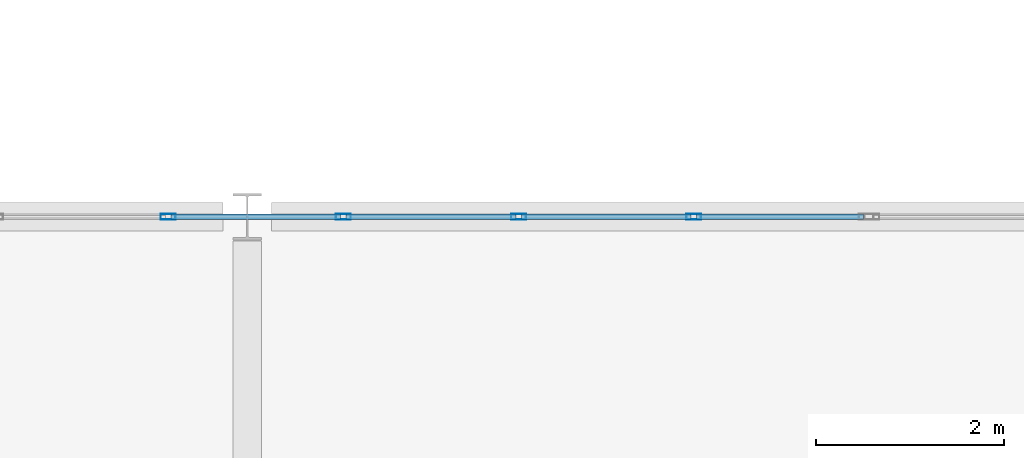
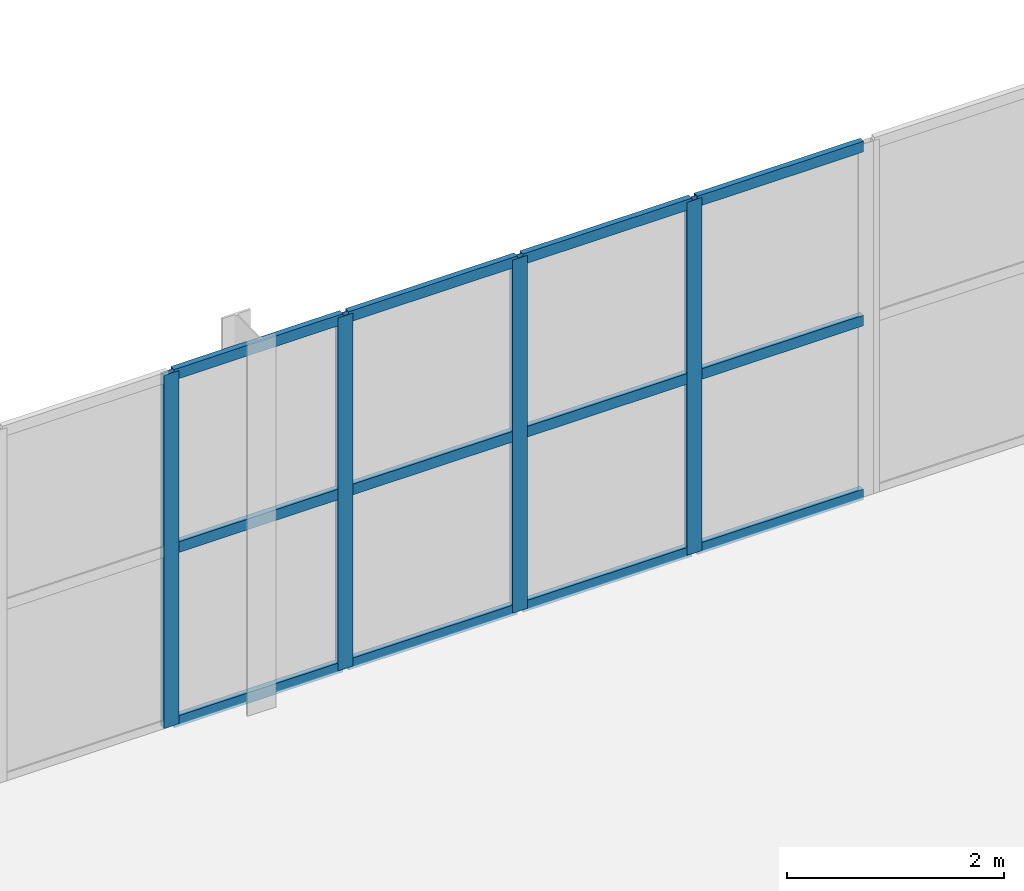
# One storey, part 61 of 121: 16 members, 1 element without a shape of its own.
"""IFC4 building model written with IfcOpenShell, lengths in metres."""

from ifc_helpers import new_model, si_unit, direction, frame, origin, origin_2d, place, context, subcontext, project, spatial, hollow_rectangle, extrude, material, layer, layer_set, material_profile, profile_set, type_object, element, aggregate, save


model = new_model("IFC4")

# Units and contexts
model_context = context("Model", 3, precision=1e-05, world=origin(), true_north=direction((0.0, 1.0)))
body_context = subcontext(model_context, "Body", "Model", "MODEL_VIEW")
ifc_project = project(units=[si_unit("LENGTHUNIT", "METRE"), si_unit("AREAUNIT", "SQUARE_METRE"), si_unit("VOLUMEUNIT", "CUBIC_METRE"), si_unit("PLANEANGLEUNIT", "RADIAN"), si_unit("MASSUNIT", "GRAM", prefix="KILO")], contexts=[model_context])

# Site, building, storey
site_placement = place(None, origin())
site = spatial("IfcSite", under=ifc_project, at=site_placement, CompositionType="ELEMENT")
building_placement = place(site_placement, origin())
building = spatial("IfcBuilding", under=site, at=building_placement, Name="Vinh Khe Railworks Police Headquarters", CompositionType="ELEMENT")
storey_placement = place(building_placement, frame((0.0, 0.0, 4.800048828125)))
storey = spatial("IfcBuildingStorey", under=building, at=storey_placement, Name="L01", CompositionType="ELEMENT", Elevation=4.800048828125)

# Curtain wall, members
ifc_material_1 = material(Name="Anodised aluminium and solar-control glass", Category="aluminium")
ifc_layer = layer(ifc_material_1, 0.159912109375)
ifc_layer_set = layer_set([ifc_layer], Name="Anodised aluminium and solar-control glass")
curtain_wall_type = type_object("IfcCurtainWallType", Name="CW-SHOPFRONT", PredefinedType="USERDEFINED", material=ifc_layer_set)
curtain_wall_placement = place(storey_placement, origin())
curtain_wall = element("IfcCurtainWall", 1, at=curtain_wall_placement, inside=storey, type_object=curtain_wall_type, Name="Link Bridge North Glazing L01 Bay 2", ObjectType="UNITISED GLAZING", PredefinedType="USERDEFINED")
ifc_material_2 = material(Name="Anodised aluminium 6063-T6", Category="aluminium")
ifc_material_profile_1 = material_profile(ifc_material_2, hollow_rectangle(XDim=0.06005859375, YDim=0.159912109375, WallThickness=0.00390625, at=origin_2d()), Name="CW-M 60x160x4")
ifc_profile_set_1 = profile_set([ifc_material_profile_1], Name="Anodised aluminium 6063-T6")
member_type_1 = type_object("IfcMemberType", Name="MULL-CWM-01", PredefinedType="MULLION", material=ifc_profile_set_1)
member_1_placement = place(storey_placement, frame((33.360107421875, 104.39990234375, 0.0), z_axis=(0.0, 0.0, 1.0), x_axis=(0.0, 1.0, 0.0)))
member_1 = element("IfcMember", 2, at=member_1_placement, type_object=member_type_1, Name="CW-03 mullion 2", PredefinedType="MULLION", context=body_context, shape_type="SweptSolid", body=[
    extrude(hollow_rectangle(XDim=0.06005859375, YDim=0.159912109375, WallThickness=0.00390625, at=origin_2d()), origin(), (0.0, 0.0, 1.0), 3.97998046875),
])
member_2_placement = place(storey_placement, frame((35.219970703125, 104.39990234375, 0.0), z_axis=(0.0, 0.0, 1.0), x_axis=(0.0, 1.0, 0.0)))
member_2 = element("IfcMember", 3, at=member_2_placement, type_object=member_type_1, Name="CW-03 mullion 3", PredefinedType="MULLION", context=body_context, shape_type="SweptSolid", body=[
    extrude(hollow_rectangle(XDim=0.06005859375, YDim=0.159912109375, WallThickness=0.00390625, at=origin_2d()), origin(), (0.0, 0.0, 1.0), 3.97998046875),
])
member_3_placement = place(storey_placement, frame((37.080078125, 104.39990234375, 0.0), z_axis=(0.0, 0.0, 1.0), x_axis=(0.0, 1.0, 0.0)))
member_3 = element("IfcMember", 4, at=member_3_placement, type_object=member_type_1, Name="CW-03 mullion 4", PredefinedType="MULLION", context=body_context, shape_type="SweptSolid", body=[
    extrude(hollow_rectangle(XDim=0.06005859375, YDim=0.159912109375, WallThickness=0.00390625, at=origin_2d()), origin(), (0.0, 0.0, 1.0), 3.97998046875),
])
member_4_placement = place(storey_placement, frame((38.93994140625, 104.39990234375, 0.0), z_axis=(0.0, 0.0, 1.0), x_axis=(0.0, 1.0, 0.0)))
member_4 = element("IfcMember", 5, at=member_4_placement, type_object=member_type_1, Name="CW-03 mullion 5", PredefinedType="MULLION", context=body_context, shape_type="SweptSolid", body=[
    extrude(hollow_rectangle(XDim=0.06005859375, YDim=0.159912109375, WallThickness=0.00390625, at=origin_2d()), origin(), (0.0, 0.0, 1.0), 3.97998046875),
])
ifc_material_profile_2 = material_profile(ifc_material_2, hollow_rectangle(XDim=0.06005859375, YDim=0.1201171875, WallThickness=0.00390625, at=origin_2d()), Name="CW-T 60x120x4")
ifc_profile_set_2 = profile_set([ifc_material_profile_2], Name="Anodised aluminium 6063-T6")
member_type_2 = type_object("IfcMemberType", Name="TRAN-CWT-01", PredefinedType="USERDEFINED", material=ifc_profile_set_2)
member_5_placement = place(storey_placement, frame((33.389892578125, 104.39990234375, 0.030029296875), z_axis=(1.0, 0.0, 0.0), x_axis=(0.0, 1.0, 0.0)))
member_5 = element("IfcMember", 6, at=member_5_placement, type_object=member_type_2, Name="CW-03 transom 2.1", ObjectType="TRANSOM", PredefinedType="USERDEFINED", context=body_context, shape_type="SweptSolid", body=[
    extrude(hollow_rectangle(XDim=0.06005859375, YDim=0.1201171875, WallThickness=0.00390625, at=origin_2d()), origin(), (0.0, 0.0, 1.0), 1.800048828125),
])
member_6_placement = place(storey_placement, frame((33.389892578125, 104.39990234375, 1.989990234375), z_axis=(1.0, 0.0, 0.0), x_axis=(0.0, 1.0, 0.0)))
member_6 = element("IfcMember", 7, at=member_6_placement, type_object=member_type_2, Name="CW-03 transom 2.2", ObjectType="TRANSOM", PredefinedType="USERDEFINED", context=body_context, shape_type="SweptSolid", body=[
    extrude(hollow_rectangle(XDim=0.06005859375, YDim=0.1201171875, WallThickness=0.00390625, at=origin_2d()), origin(), (0.0, 0.0, 1.0), 1.800048828125),
])
member_7_placement = place(storey_placement, frame((33.389892578125, 104.39990234375, 3.949951171875), z_axis=(1.0, 0.0, 0.0), x_axis=(0.0, 1.0, 0.0)))
member_7 = element("IfcMember", 8, at=member_7_placement, type_object=member_type_2, Name="CW-03 transom 2.3", ObjectType="TRANSOM", PredefinedType="USERDEFINED", context=body_context, shape_type="SweptSolid", body=[
    extrude(hollow_rectangle(XDim=0.06005859375, YDim=0.1201171875, WallThickness=0.00390625, at=origin_2d()), origin(), (0.0, 0.0, 1.0), 1.800048828125),
])
member_8_placement = place(storey_placement, frame((35.25, 104.39990234375, 0.030029296875), z_axis=(1.0, 0.0, 0.0), x_axis=(0.0, 1.0, 0.0)))
member_8 = element("IfcMember", 9, at=member_8_placement, type_object=member_type_2, Name="CW-03 transom 3.1", ObjectType="TRANSOM", PredefinedType="USERDEFINED", context=body_context, shape_type="SweptSolid", body=[
    extrude(hollow_rectangle(XDim=0.06005859375, YDim=0.1201171875, WallThickness=0.00390625, at=origin_2d()), origin(), (0.0, 0.0, 1.0), 1.800048828125),
])
member_9_placement = place(storey_placement, frame((35.25, 104.39990234375, 1.989990234375), z_axis=(1.0, 0.0, 0.0), x_axis=(0.0, 1.0, 0.0)))
member_9 = element("IfcMember", 10, at=member_9_placement, type_object=member_type_2, Name="CW-03 transom 3.2", ObjectType="TRANSOM", PredefinedType="USERDEFINED", context=body_context, shape_type="SweptSolid", body=[
    extrude(hollow_rectangle(XDim=0.06005859375, YDim=0.1201171875, WallThickness=0.00390625, at=origin_2d()), origin(), (0.0, 0.0, 1.0), 1.800048828125),
])
member_10_placement = place(storey_placement, frame((35.25, 104.39990234375, 3.949951171875), z_axis=(1.0, 0.0, 0.0), x_axis=(0.0, 1.0, 0.0)))
member_10 = element("IfcMember", 11, at=member_10_placement, type_object=member_type_2, Name="CW-03 transom 3.3", ObjectType="TRANSOM", PredefinedType="USERDEFINED", context=body_context, shape_type="SweptSolid", body=[
    extrude(hollow_rectangle(XDim=0.06005859375, YDim=0.1201171875, WallThickness=0.00390625, at=origin_2d()), origin(), (0.0, 0.0, 1.0), 1.800048828125),
])
member_11_placement = place(storey_placement, frame((37.110107421875, 104.39990234375, 0.030029296875), z_axis=(1.0, 0.0, 0.0), x_axis=(0.0, 1.0, 0.0)))
member_11 = element("IfcMember", 12, at=member_11_placement, type_object=member_type_2, Name="CW-03 transom 4.1", ObjectType="TRANSOM", PredefinedType="USERDEFINED", context=body_context, shape_type="SweptSolid", body=[
    extrude(hollow_rectangle(XDim=0.06005859375, YDim=0.1201171875, WallThickness=0.00390625, at=origin_2d()), origin(), (0.0, 0.0, 1.0), 1.7998046875),
])
member_12_placement = place(storey_placement, frame((37.110107421875, 104.39990234375, 1.989990234375), z_axis=(1.0, 0.0, 0.0), x_axis=(0.0, 1.0, 0.0)))
member_12 = element("IfcMember", 13, at=member_12_placement, type_object=member_type_2, Name="CW-03 transom 4.2", ObjectType="TRANSOM", PredefinedType="USERDEFINED", context=body_context, shape_type="SweptSolid", body=[
    extrude(hollow_rectangle(XDim=0.06005859375, YDim=0.1201171875, WallThickness=0.00390625, at=origin_2d()), origin(), (0.0, 0.0, 1.0), 1.7998046875),
])
member_13_placement = place(storey_placement, frame((37.110107421875, 104.39990234375, 3.949951171875), z_axis=(1.0, 0.0, 0.0), x_axis=(0.0, 1.0, 0.0)))
member_13 = element("IfcMember", 14, at=member_13_placement, type_object=member_type_2, Name="CW-03 transom 4.3", ObjectType="TRANSOM", PredefinedType="USERDEFINED", context=body_context, shape_type="SweptSolid", body=[
    extrude(hollow_rectangle(XDim=0.06005859375, YDim=0.1201171875, WallThickness=0.00390625, at=origin_2d()), origin(), (0.0, 0.0, 1.0), 1.7998046875),
])
member_14_placement = place(storey_placement, frame((38.969970703125, 104.39990234375, 0.030029296875), z_axis=(1.0, 0.0, 0.0), x_axis=(0.0, 1.0, 0.0)))
member_14 = element("IfcMember", 15, at=member_14_placement, type_object=member_type_2, Name="CW-03 transom 5.1", ObjectType="TRANSOM", PredefinedType="USERDEFINED", context=body_context, shape_type="SweptSolid", body=[
    extrude(hollow_rectangle(XDim=0.06005859375, YDim=0.1201171875, WallThickness=0.00390625, at=origin_2d()), origin(), (0.0, 0.0, 1.0), 1.77001953125),
])
member_15_placement = place(storey_placement, frame((38.969970703125, 104.39990234375, 1.989990234375), z_axis=(1.0, 0.0, 0.0), x_axis=(0.0, 1.0, 0.0)))
member_15 = element("IfcMember", 16, at=member_15_placement, type_object=member_type_2, Name="CW-03 transom 5.2", ObjectType="TRANSOM", PredefinedType="USERDEFINED", context=body_context, shape_type="SweptSolid", body=[
    extrude(hollow_rectangle(XDim=0.06005859375, YDim=0.1201171875, WallThickness=0.00390625, at=origin_2d()), origin(), (0.0, 0.0, 1.0), 1.77001953125),
])
member_16_placement = place(storey_placement, frame((38.969970703125, 104.39990234375, 3.949951171875), z_axis=(1.0, 0.0, 0.0), x_axis=(0.0, 1.0, 0.0)))
member_16 = element("IfcMember", 17, at=member_16_placement, type_object=member_type_2, Name="CW-03 transom 5.3", ObjectType="TRANSOM", PredefinedType="USERDEFINED", context=body_context, shape_type="SweptSolid", body=[
    extrude(hollow_rectangle(XDim=0.06005859375, YDim=0.1201171875, WallThickness=0.00390625, at=origin_2d()), origin(), (0.0, 0.0, 1.0), 1.77001953125),
])
aggregate(curtain_wall, [member_1, member_2, member_3, member_4, member_5, member_6, member_7, member_8, member_9, member_10, member_11, member_12, member_13, member_14, member_15, member_16])

save(model, "model.ifc")
